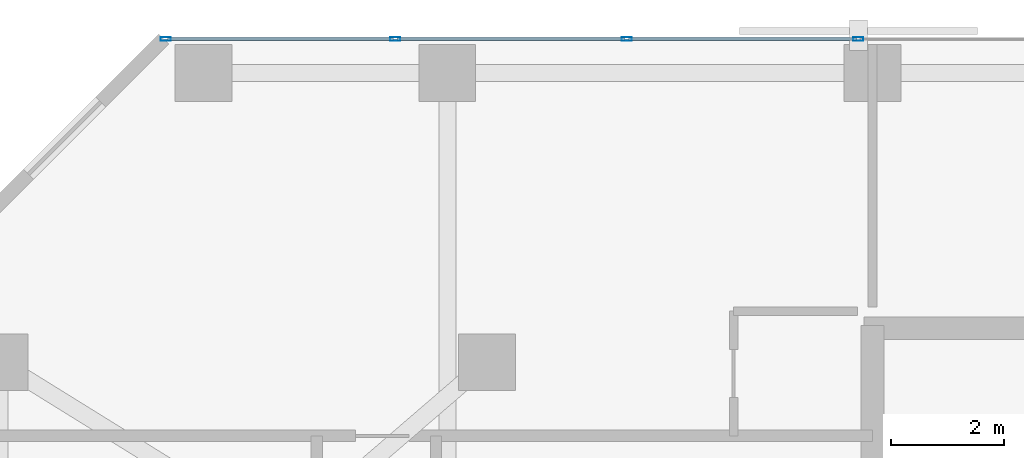
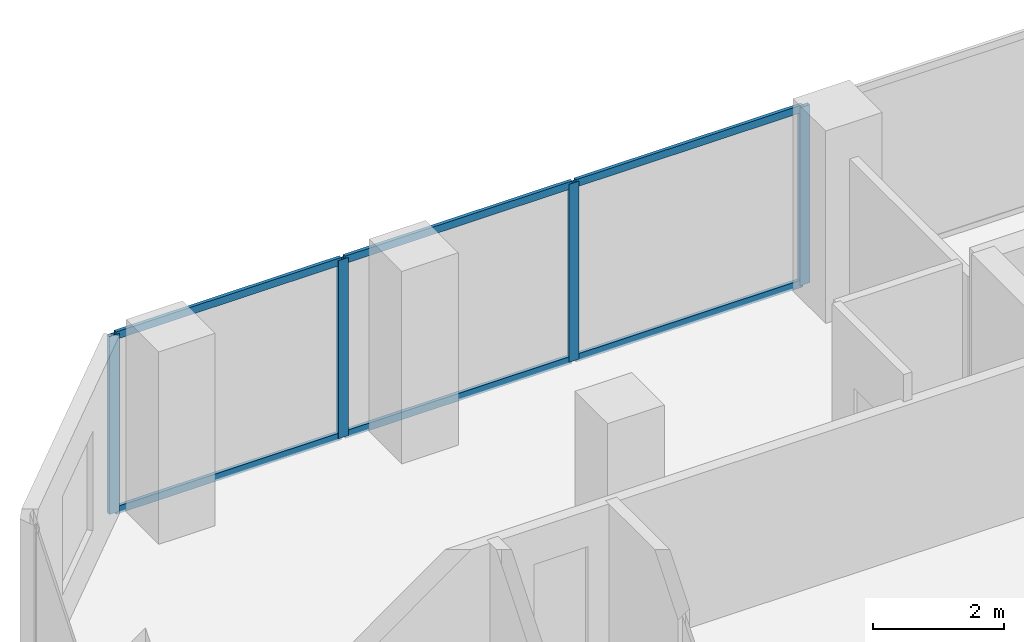
# One storey, part 20 of 31: 10 members, 1 element without a shape of its own.
"""IFC4 building model written with IfcOpenShell, lengths in metres."""

from ifc_helpers import new_model, si_unit, direction, frame, origin, origin_2d, place, context, subcontext, project, spatial, hollow_rectangle, extrude, material, layer, layer_set, material_profile, profile_set, type_object, element, aggregate, save


model = new_model("IFC4")

# Units and contexts
model_context = context("Model", 3, precision=1e-05, world=origin(), true_north=direction((0.0, 1.0)))
body_context = subcontext(model_context, "Body", "Model", "MODEL_VIEW")
ifc_project = project(units=[si_unit("LENGTHUNIT", "METRE"), si_unit("AREAUNIT", "SQUARE_METRE"), si_unit("VOLUMEUNIT", "CUBIC_METRE"), si_unit("PLANEANGLEUNIT", "RADIAN"), si_unit("MASSUNIT", "GRAM", prefix="KILO")], contexts=[model_context])

# Site, building, storey
site_placement = place(None, origin())
site = spatial("IfcSite", under=ifc_project, at=site_placement, CompositionType="ELEMENT")
building_placement = place(site_placement, origin())
building = spatial("IfcBuilding", under=site, at=building_placement, Name="Catumbela Crestline Tower", CompositionType="ELEMENT")
storey_placement = place(building_placement, frame((0.0, 0.0, 40.2)))
storey = spatial("IfcBuildingStorey", under=building, at=storey_placement, Name="L09", CompositionType="ELEMENT", Elevation=40.2)

# Curtain wall, members
ifc_material = material(Name="Aluminium alloy AW-6060-T66", Category="aluminium")
ifc_layer = layer(ifc_material, 0.18, Name="Aluminium alloy AW-6060-T66")
ifc_layer_set = layer_set([ifc_layer], Name="Aluminium alloy AW-6060-T66")
curtain_wall_type = type_object("IfcCurtainWallType", Name="CWU-Z1", PredefinedType="USERDEFINED", material=ifc_layer_set)
curtain_wall_placement = place(storey_placement, origin())
curtain_wall = element("IfcCurtainWall", 1, at=curtain_wall_placement, inside=storey, type_object=curtain_wall_type, Name="L09 Unitised Curtain Wall CW-L09-E7S1", ObjectType="UNITISED", PredefinedType="USERDEFINED")
ifc_material_profile_1 = material_profile(ifc_material, hollow_rectangle(XDim=0.065, YDim=0.18, WallThickness=0.004, at=origin_2d()), Name="ALU 180x65x4")
ifc_profile_set_1 = profile_set([ifc_material_profile_1], Name="Aluminium alloy AW-6060-T66")
member_type_1 = type_object("IfcMemberType", Name="MUL-180X65", PredefinedType="MULLION", material=ifc_profile_set_1)
member_1_placement = place(storey_placement, frame((15.75, 48.0, 0.0), z_axis=(0.0, 0.0, 1.0), x_axis=(0.0, -1.0, 0.0)))
member_1 = element("IfcMember", 2, at=member_1_placement, type_object=member_type_1, Name="CWU-Z1 mullion 10", PredefinedType="MULLION", context=body_context, shape_type="SweptSolid", body=[
    extrude(hollow_rectangle(XDim=0.065, YDim=0.18, WallThickness=0.004, at=origin_2d()), origin(), (0.0, 0.0, 1.0), 3.33),
])
member_2_placement = place(storey_placement, frame((11.6667, 48.0, 0.0), z_axis=(0.0, 0.0, 1.0), x_axis=(0.0, -1.0, 0.0)))
member_2 = element("IfcMember", 3, at=member_2_placement, type_object=member_type_1, Name="CWU-Z1 mullion 11", PredefinedType="MULLION", context=body_context, shape_type="SweptSolid", body=[
    extrude(hollow_rectangle(XDim=0.065, YDim=0.18, WallThickness=0.004, at=origin_2d()), origin(), (0.0, 0.0, 1.0), 3.33),
])
member_3_placement = place(storey_placement, frame((7.5833, 48.0, 0.0), z_axis=(0.0, 0.0, 1.0), x_axis=(0.0, -1.0, 0.0)))
member_3 = element("IfcMember", 4, at=member_3_placement, type_object=member_type_1, Name="CWU-Z1 mullion 12", PredefinedType="MULLION", context=body_context, shape_type="SweptSolid", body=[
    extrude(hollow_rectangle(XDim=0.065, YDim=0.18, WallThickness=0.004, at=origin_2d()), origin(), (0.0, 0.0, 1.0), 3.33),
])
member_4_placement = place(storey_placement, frame((3.5325, 48.0, 0.0), z_axis=(0.0, 0.0, 1.0), x_axis=(0.0, -1.0, 0.0)))
member_4 = element("IfcMember", 5, at=member_4_placement, type_object=member_type_1, Name="CWU-Z1 mullion 13", PredefinedType="MULLION", context=body_context, shape_type="SweptSolid", body=[
    extrude(hollow_rectangle(XDim=0.065, YDim=0.18, WallThickness=0.004, at=origin_2d()), origin(), (0.0, 0.0, 1.0), 3.33),
])
ifc_material_profile_2 = material_profile(ifc_material, hollow_rectangle(XDim=0.06, YDim=0.14, WallThickness=0.004, at=origin_2d()), Name="ALU 140x60x4")
ifc_profile_set_2 = profile_set([ifc_material_profile_2], Name="Aluminium alloy AW-6060-T66")
member_type_2 = type_object("IfcMemberType", Name="TRN-140X60", PredefinedType="USERDEFINED", material=ifc_profile_set_2)
member_5_placement = place(storey_placement, frame((15.7175, 48.0, 0.03), z_axis=(-1.0, 0.0, 0.0), x_axis=(0.0, -1.0, 0.0)))
member_5 = element("IfcMember", 6, at=member_5_placement, type_object=member_type_2, Name="CWU-Z1 transom 10.1", ObjectType="TRANSOM", PredefinedType="USERDEFINED", context=body_context, shape_type="SweptSolid", body=[
    extrude(hollow_rectangle(XDim=0.06, YDim=0.14, WallThickness=0.004, at=origin_2d()), origin(), (0.0, 0.0, 1.0), 4.0183),
])
member_6_placement = place(storey_placement, frame((15.7175, 48.0, 3.3), z_axis=(-1.0, 0.0, 0.0), x_axis=(0.0, -1.0, 0.0)))
member_6 = element("IfcMember", 7, at=member_6_placement, type_object=member_type_2, Name="CWU-Z1 transom 10.2", ObjectType="TRANSOM", PredefinedType="USERDEFINED", context=body_context, shape_type="SweptSolid", body=[
    extrude(hollow_rectangle(XDim=0.06, YDim=0.14, WallThickness=0.004, at=origin_2d()), origin(), (0.0, 0.0, 1.0), 4.0183),
])
member_7_placement = place(storey_placement, frame((11.6342, 48.0, 0.03), z_axis=(-1.0, 0.0, 0.0), x_axis=(0.0, -1.0, 0.0)))
member_7 = element("IfcMember", 8, at=member_7_placement, type_object=member_type_2, Name="CWU-Z1 transom 11.1", ObjectType="TRANSOM", PredefinedType="USERDEFINED", context=body_context, shape_type="SweptSolid", body=[
    extrude(hollow_rectangle(XDim=0.06, YDim=0.14, WallThickness=0.004, at=origin_2d()), origin(), (0.0, 0.0, 1.0), 4.0184),
])
member_8_placement = place(storey_placement, frame((11.6342, 48.0, 3.3), z_axis=(-1.0, 0.0, 0.0), x_axis=(0.0, -1.0, 0.0)))
member_8 = element("IfcMember", 9, at=member_8_placement, type_object=member_type_2, Name="CWU-Z1 transom 11.2", ObjectType="TRANSOM", PredefinedType="USERDEFINED", context=body_context, shape_type="SweptSolid", body=[
    extrude(hollow_rectangle(XDim=0.06, YDim=0.14, WallThickness=0.004, at=origin_2d()), origin(), (0.0, 0.0, 1.0), 4.0184),
])
member_9_placement = place(storey_placement, frame((7.5508, 48.0, 0.03), z_axis=(-1.0, 0.0, 0.0), x_axis=(0.0, -1.0, 0.0)))
member_9 = element("IfcMember", 10, at=member_9_placement, type_object=member_type_2, Name="CWU-Z1 transom 12.1", ObjectType="TRANSOM", PredefinedType="USERDEFINED", context=body_context, shape_type="SweptSolid", body=[
    extrude(hollow_rectangle(XDim=0.06, YDim=0.14, WallThickness=0.004, at=origin_2d()), origin(), (0.0, 0.0, 1.0), 3.9858),
])
member_10_placement = place(storey_placement, frame((7.5508, 48.0, 3.3), z_axis=(-1.0, 0.0, 0.0), x_axis=(0.0, -1.0, 0.0)))
member_10 = element("IfcMember", 11, at=member_10_placement, type_object=member_type_2, Name="CWU-Z1 transom 12.2", ObjectType="TRANSOM", PredefinedType="USERDEFINED", context=body_context, shape_type="SweptSolid", body=[
    extrude(hollow_rectangle(XDim=0.06, YDim=0.14, WallThickness=0.004, at=origin_2d()), origin(), (0.0, 0.0, 1.0), 3.9858),
])
aggregate(curtain_wall, [member_1, member_2, member_3, member_4, member_5, member_6, member_7, member_8, member_9, member_10])

save(model, "model.ifc")
